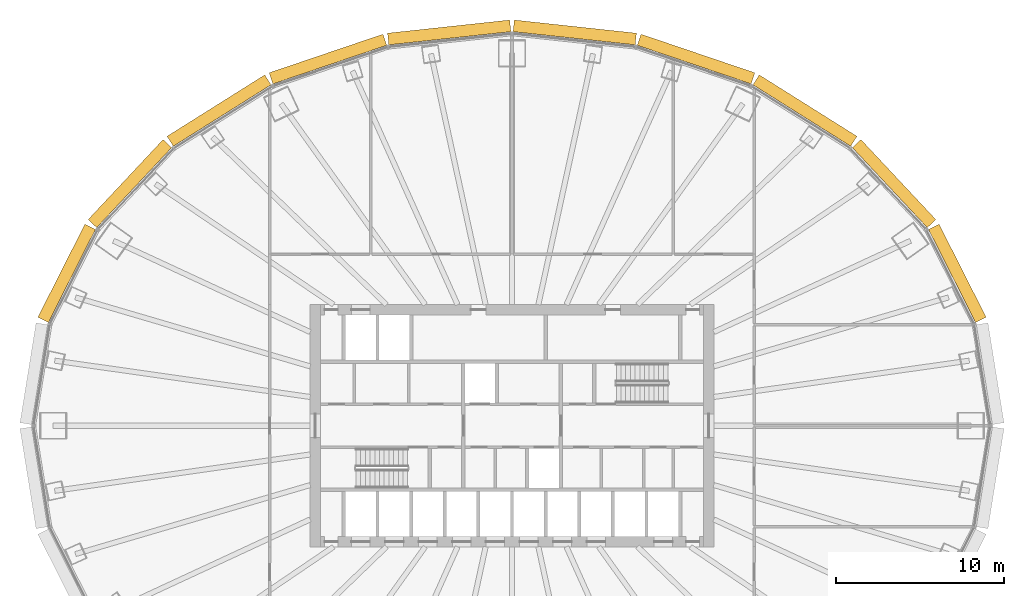
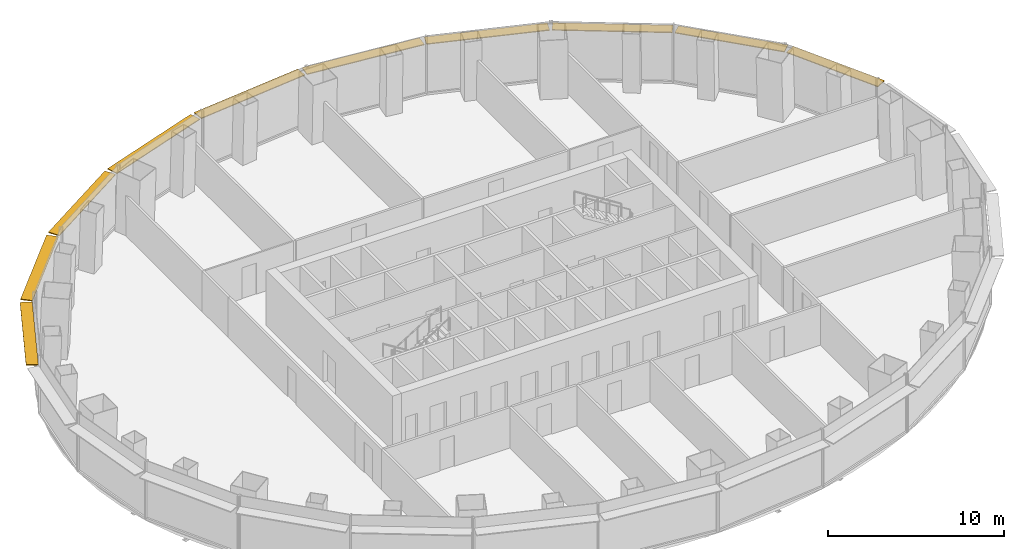
# One storey, part 13 of 13: 10 shading devices.
"""IFC4 building model written with IfcOpenShell, lengths in metres."""

from ifc_helpers import new_model, si_unit, direction, frame, origin, origin_2d, place, context, subcontext, project, spatial, rectangle, extrude, material, layer, layer_set, type_object, element, save


model = new_model("IFC4")

# Units and contexts
model_context = context("Model", 3, precision=1e-05, world=origin(), true_north=direction((0.0, 1.0)))
body_context = subcontext(model_context, "Body", "Model", "MODEL_VIEW")
ifc_project = project(units=[si_unit("LENGTHUNIT", "METRE"), si_unit("AREAUNIT", "SQUARE_METRE"), si_unit("VOLUMEUNIT", "CUBIC_METRE"), si_unit("PLANEANGLEUNIT", "RADIAN"), si_unit("MASSUNIT", "GRAM", prefix="KILO")], contexts=[model_context])

# Site, building, storey
site_placement = place(None, origin())
site = spatial("IfcSite", under=ifc_project, at=site_placement, CompositionType="ELEMENT")
building_placement = place(site_placement, origin())
building = spatial("IfcBuilding", under=site, at=building_placement, Name="Siaravel Broadcast Tower", CompositionType="ELEMENT")
storey_placement = place(building_placement, frame((0.0, 0.0, 32.89990234375)))
storey = spatial("IfcBuildingStorey", under=building, at=storey_placement, Name="L06", CompositionType="ELEMENT", Elevation=32.89990234375)

# Shading devices
ifc_material = material(Name="Bronze anodised aluminium", Category="aluminium")
ifc_layer = layer(ifc_material, 0.06005859375)
ifc_layer_set = layer_set([ifc_layer], Name="Bronze anodised aluminium")
shading_device_type = type_object("IfcShadingDeviceType", Name="Brise-soleil band", PredefinedType="USERDEFINED", material=ifc_layer_set)
shading_device_1_placement = place(storey_placement, frame((26.4833984375, 9.06298828125, 3.320068359375), z_axis=(0.0, 0.0, 1.0), x_axis=(-0.451262289, 0.892391364, 0.0)))
element("IfcShadingDevice", 1, at=shading_device_1_placement, inside=storey, type_object=shading_device_type, Name="L06 brise-soleil band 02", ObjectType="SUNSHADE", PredefinedType="USERDEFINED", context=body_context, shape_type="SweptSolid", body=[
    extrude(rectangle(XDim=6.20263671875, YDim=0.699951171875, at=origin_2d()), origin(), (0.0, 0.0, 1.0), 0.06005859375),
])
shading_device_2_placement = place(storey_placement, frame((22.722900390625, 14.399169921875, 3.320068359375), z_axis=(0.0, 0.0, 1.0), x_axis=(-0.683655992, 0.729804415, 0.0)))
element("IfcShadingDevice", 2, at=shading_device_2_placement, inside=storey, type_object=shading_device_type, Name="L06 brise-soleil band 03", ObjectType="SUNSHADE", PredefinedType="USERDEFINED", context=body_context, shape_type="SweptSolid", body=[
    extrude(rectangle(XDim=6.51611328125, YDim=0.699951171875, at=origin_2d()), origin(), (0.0, 0.0, 1.0), 0.06005859375),
])
shading_device_3_placement = place(storey_placement, frame((17.42138671875, 18.742431640625, 3.320068359375), z_axis=(0.0, 0.0, 1.0), x_axis=(-0.846651365, 0.532147974, 0.0)))
element("IfcShadingDevice", 3, at=shading_device_3_placement, inside=storey, type_object=shading_device_type, Name="L06 brise-soleil band 04", ObjectType="SUNSHADE", PredefinedType="USERDEFINED", context=body_context, shape_type="SweptSolid", body=[
    extrude(rectangle(XDim=6.860107421875, YDim=0.699951171875, at=origin_2d()), origin(), (0.0, 0.0, 1.0), 0.06005859375),
])
shading_device_4_placement = place(storey_placement, frame((10.944580078125, 21.805908203125, 3.320068359375), z_axis=(0.0, 0.0, 1.0), x_axis=(-0.946977245, 0.321300635, 0.0)))
element("IfcShadingDevice", 4, at=shading_device_4_placement, inside=storey, type_object=shading_device_type, Name="L06 brise-soleil band 05", ObjectType="SUNSHADE", PredefinedType="USERDEFINED", context=body_context, shape_type="SweptSolid", body=[
    extrude(rectangle(XDim=7.145263671875, YDim=0.699951171875, at=origin_2d()), origin(), (0.0, 0.0, 1.0), 0.06005859375),
])
for number, where, z_axis, x_axis, name in (
    (5, (3.731689453125, 23.388916015625, 3.320068359375), (0.0, 0.0, 1.0), (-0.994235667, 0.107216783, 0.0), "L06 brise-soleil band 06"),
    (6, (-3.731689453125, 23.388916015625, 3.320068359375), (0.0, 0.0, 1.0), (-0.994235667, -0.107216783, 0.0), "L06 brise-soleil band 07"),
):
    element("IfcShadingDevice", number, at=place(storey_placement, frame(where, z_axis=z_axis, x_axis=x_axis)), inside=storey, type_object=shading_device_type, Name=name, ObjectType="SUNSHADE", PredefinedType="USERDEFINED", context=body_context, shape_type="SweptSolid", body=[
        extrude(rectangle(XDim=7.3046875, YDim=0.699951171875, at=origin_2d()), origin(), (0.0, 0.0, 1.0), 0.06005859375),
    ])
shading_device_5_placement = place(storey_placement, frame((-10.944580078125, 21.805908203125, 3.320068359375), z_axis=(0.0, 0.0, 1.0), x_axis=(-0.946977245, -0.321300635, 0.0)))
element("IfcShadingDevice", 7, at=shading_device_5_placement, inside=storey, type_object=shading_device_type, Name="L06 brise-soleil band 08", ObjectType="SUNSHADE", PredefinedType="USERDEFINED", context=body_context, shape_type="SweptSolid", body=[
    extrude(rectangle(XDim=7.145263671875, YDim=0.699951171875, at=origin_2d()), origin(), (0.0, 0.0, 1.0), 0.06005859375),
])
shading_device_6_placement = place(storey_placement, frame((-17.42138671875, 18.742431640625, 3.320068359375), z_axis=(0.0, 0.0, 1.0), x_axis=(-0.846651365, -0.532147974, 0.0)))
element("IfcShadingDevice", 8, at=shading_device_6_placement, inside=storey, type_object=shading_device_type, Name="L06 brise-soleil band 09", ObjectType="SUNSHADE", PredefinedType="USERDEFINED", context=body_context, shape_type="SweptSolid", body=[
    extrude(rectangle(XDim=6.860107421875, YDim=0.699951171875, at=origin_2d()), origin(), (0.0, 0.0, 1.0), 0.06005859375),
])
shading_device_7_placement = place(storey_placement, frame((-22.722900390625, 14.399169921875, 3.320068359375), z_axis=(0.0, 0.0, 1.0), x_axis=(-0.683655992, -0.729804415, 0.0)))
element("IfcShadingDevice", 9, at=shading_device_7_placement, inside=storey, type_object=shading_device_type, Name="L06 brise-soleil band 10", ObjectType="SUNSHADE", PredefinedType="USERDEFINED", context=body_context, shape_type="SweptSolid", body=[
    extrude(rectangle(XDim=6.51611328125, YDim=0.699951171875, at=origin_2d()), origin(), (0.0, 0.0, 1.0), 0.06005859375),
])
shading_device_8_placement = place(storey_placement, frame((-26.4833984375, 9.06298828125, 3.320068359375), z_axis=(0.0, 0.0, 1.0), x_axis=(-0.451262289, -0.892391364, 0.0)))
element("IfcShadingDevice", 10, at=shading_device_8_placement, inside=storey, type_object=shading_device_type, Name="L06 brise-soleil band 11", ObjectType="SUNSHADE", PredefinedType="USERDEFINED", context=body_context, shape_type="SweptSolid", body=[
    extrude(rectangle(XDim=6.20263671875, YDim=0.699951171875, at=origin_2d()), origin(), (0.0, 0.0, 1.0), 0.06005859375),
])

save(model, "model.ifc")
